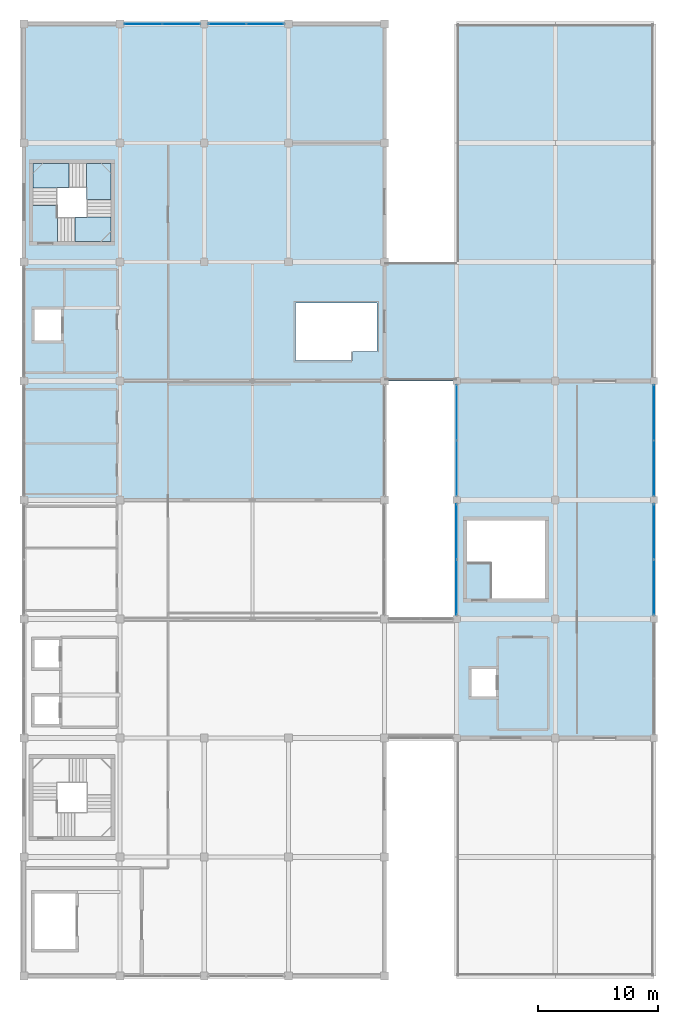
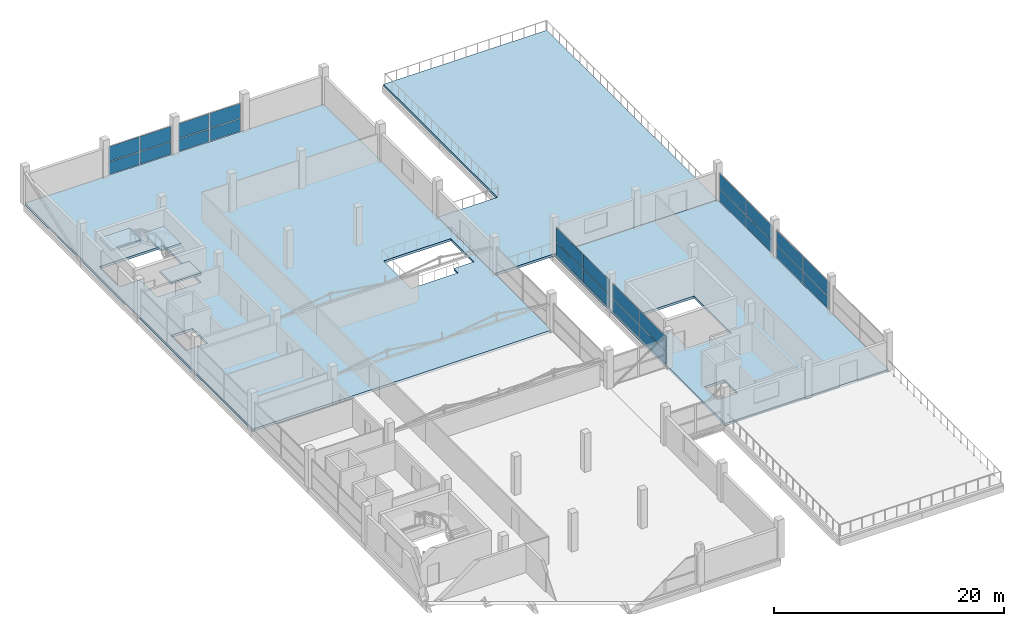
# One storey, part 43 of 53: 24 plates, 6 slabs, 7 elements without a shape of their own.
"""IFC4 building model written with IfcOpenShell, lengths in metres."""

import ifcopenshell
import ifcopenshell.guid

model = None  # the IFC model being written
_history = None  # IfcOwnerHistory: only IFC2X3 demands one
_inside = {}  # id of a spatial element -> (the spatial element, [elements in it])
_under = {}  # id of a project, library or spatial element -> (it, [spatial elements below it])
_declared = {}  # id of a project -> (the project, [libraries it declares])
_typed = {}  # id of a type object -> (the type object, [elements of that type])
_made_of = {}  # id of a material, layer set ... -> (it, [elements and type objects made of it])


def new_model(schema):
    """Start an empty IFC model of exactly this schema.

    Asked for "IFC4X3", IfcOpenShell would pick the latest addendum, in which some entities
    have other attributes; the version numbers below select the first issue.
    IFC2X3 requires an IfcOwnerHistory on every rooted entity: one is made here for all.
    """
    global model, _history
    if schema == "IFC4X3":
        model = ifcopenshell.file(schema_version=(4, 3, 0, 0))
    else:
        model = ifcopenshell.file(schema=schema)
    _inside.clear()
    _under.clear()
    _declared.clear()
    _typed.clear()
    _made_of.clear()
    _history = None
    if model.schema == "IFC2X3":
        org = make("IfcOrganization", Name="unknown")
        user = make(
            "IfcPersonAndOrganization",
            ThePerson=make("IfcPerson", FamilyName="unknown"),
            TheOrganization=org,
        )
        app = make(
            "IfcApplication",
            ApplicationDeveloper=org,
            Version="unknown",
            ApplicationFullName="unknown",
            ApplicationIdentifier="unknown",
        )
        _history = make(
            "IfcOwnerHistory",
            OwningUser=user,
            OwningApplication=app,
            ChangeAction="ADDED",
            CreationDate=0,
        )
    return model


def make(cls, **values):
    """One entity of the class cls with the attributes given. An attribute that is None is left unset."""
    return model.create_entity(
        cls, **{name: value for name, value in values.items() if value is not None}
    )


def rooted(cls, **values):
    """An entity with a GlobalId (a new one), such as an element, a storey or a relation."""
    return make(cls, GlobalId=ifcopenshell.guid.new(), OwnerHistory=_history, **values)


def si_unit(unit_type, name, prefix=None):
    """IfcSIUnit, for example si_unit("LENGTHUNIT", "METRE", prefix="MILLI")."""
    return make("IfcSIUnit", UnitType=unit_type, Prefix=prefix, Name=name)


def assignment(units):
    """IfcUnitAssignment: the units of a project."""
    return None if units is None else make("IfcUnitAssignment", Units=units)


def point(xyz):
    """IfcCartesianPoint."""
    return None if xyz is None else make("IfcCartesianPoint", Coordinates=xyz)


def direction(xyz):
    """IfcDirection."""
    return None if xyz is None else make("IfcDirection", DirectionRatios=xyz)


def frame(location, z_axis=None, x_axis=None):
    """IfcAxis2Placement3D, a coordinate frame: its origin and axes. An axis left out is left unset."""
    return make(
        "IfcAxis2Placement3D",
        Location=point(location),
        Axis=direction(z_axis),
        RefDirection=direction(x_axis),
    )


def frame_2d(location, x_axis=None):
    """IfcAxis2Placement2D, a coordinate frame in the plane: its origin and x axis."""
    return make(
        "IfcAxis2Placement2D", Location=point(location), RefDirection=direction(x_axis)
    )


def origin():
    """The frame at (0, 0, 0) with its axes left unset."""
    return frame((0.0, 0.0, 0.0))


def origin_2d():
    """The frame at (0, 0) in the plane with its x axis left unset."""
    return frame_2d((0.0, 0.0))


def place(relative_to, where):
    """IfcLocalPlacement: puts the frame where relative to a parent placement (None: the world)."""
    return make(
        "IfcLocalPlacement", PlacementRelTo=relative_to, RelativePlacement=where
    )


def context(
    kind, dimensions, precision=None, world=None, true_north=None, identifier=None
):
    """IfcGeometricRepresentationContext, for example the 3D "Model" context."""
    return make(
        "IfcGeometricRepresentationContext",
        ContextIdentifier=identifier,
        ContextType=kind,
        CoordinateSpaceDimension=dimensions,
        Precision=precision,
        WorldCoordinateSystem=world,
        TrueNorth=true_north,
    )


def subcontext(parent, identifier, kind, view, scale=None):
    """IfcGeometricRepresentationSubContext, for example "Body" below "Model"."""
    return make(
        "IfcGeometricRepresentationSubContext",
        ContextIdentifier=identifier,
        ContextType=kind,
        ParentContext=parent,
        TargetScale=scale,
        TargetView=view,
    )


def project(units=None, contexts=None):
    """IfcProject with its units and contexts."""
    return rooted(
        "IfcProject",
        Name="project",
        RepresentationContexts=contexts,
        UnitsInContext=assignment(units),
    )


def spatial(cls, under=None, at=None, **own):
    """A site, building, storey or space (cls), placed at a placement, below another one or the project."""
    s = rooted(cls, ObjectPlacement=at, **own)
    if under is not None:
        _under.setdefault(under.id(), (under, []))[1].append(s)
    return s


def polyline(points):
    """IfcPolyline through the points."""
    return make("IfcPolyline", Points=[point(p) for p in points])


def profile(cls, at=None, kind="AREA", **sizes):
    """A parametric profile (cls). Its sizes go by their IFC names, for example OverallWidth=200.0."""
    return make(cls, ProfileType=kind, Position=at, **sizes)


def rectangle(**sizes):
    """IfcRectangleProfileDef."""
    return profile("IfcRectangleProfileDef", **sizes)


def outline(outer, holes=None, kind="AREA"):
    """IfcArbitraryClosedProfileDef: a profile drawn as a closed curve; with holes, ...WithVoids."""
    if holes is None:
        return make("IfcArbitraryClosedProfileDef", ProfileType=kind, OuterCurve=outer)
    return make(
        "IfcArbitraryProfileDefWithVoids",
        ProfileType=kind,
        OuterCurve=outer,
        InnerCurves=holes,
    )


def extrude(swept, where, along, depth):
    """IfcExtrudedAreaSolid: the profile swept, set in the frame where, extruded along a direction by depth."""
    return make(
        "IfcExtrudedAreaSolid",
        SweptArea=swept,
        Position=where,
        ExtrudedDirection=direction(along),
        Depth=depth,
    )


def shape(context_of_items, identifier, shape_type, items):
    """IfcShapeRepresentation: the items that make up one representation, for example the "Body"."""
    return make(
        "IfcShapeRepresentation",
        ContextOfItems=context_of_items,
        RepresentationIdentifier=identifier,
        RepresentationType=shape_type,
        Items=items,
    )


def material(Name=None, Category=None):
    """IfcMaterial."""
    return make("IfcMaterial", Name=Name, Category=Category)


def layer(
    of_material, thickness, ventilated=None, Name=None, Category=None, Priority=None
):
    """IfcMaterialLayer: one layer of a wall or slab, of a material (None: an air gap)."""
    return make(
        "IfcMaterialLayer",
        Material=of_material,
        LayerThickness=thickness,
        IsVentilated=ventilated,
        Name=Name,
        Category=Category,
        Priority=Priority,
    )


def layer_set(layers, Name=None):
    """IfcMaterialLayerSet."""
    return make("IfcMaterialLayerSet", MaterialLayers=layers, LayerSetName=Name)


def made_of(thing, what):
    """Note that an element or type object is made of a material, layer set ...; save() writes the relation."""
    if what is not None:
        _made_of.setdefault(what.id(), (what, []))[1].append(thing)
    return thing


def type_object(cls, material=None, **own):
    """A type object (cls), such as IfcWallType, which elements share."""
    return made_of(rooted(cls, **own), material)


def element(
    cls,
    number,
    at=None,
    inside=None,
    cuts=None,
    type_object=None,
    material=None,
    context=None,
    identifier="Body",
    shape_type=None,
    held_by="IfcProductDefinitionShape",
    body=None,
    shapes=None,
    **own,
):
    """One element of the class cls, such as IfcWall. Its Tag is "e" and its number.

    at: its placement. inside: the storey or other place that contains it. cuts: it is an
    opening in that element (IfcRelVoidsElement). A single representation is given by context,
    identifier, shape_type and body (its items); several are given by shapes. held_by: the class
    of the entity that holds the representations. save() writes the other relations.
    """
    e = rooted(cls, Tag="e%d" % number, ObjectPlacement=at, **own)
    if body is not None:
        shapes = [shape(context, identifier, shape_type, body)]
    if shapes is not None:
        e.Representation = make(held_by, Representations=shapes)
    if inside is not None:
        _inside.setdefault(inside.id(), (inside, []))[1].append(e)
    if cuts is not None:
        rooted(
            "IfcRelVoidsElement", RelatingBuildingElement=cuts, RelatedOpeningElement=e
        )
    if type_object is not None:
        _typed.setdefault(type_object.id(), (type_object, []))[1].append(e)
    return made_of(e, material)


def aggregate(whole, parts):
    """IfcRelAggregates: a whole, such as a stair, and the parts it consists of."""
    return rooted("IfcRelAggregates", RelatingObject=whole, RelatedObjects=parts)


def save(model, path):
    """Write the relations noted so far, then the file.

    IfcRelAggregates (storeys below a building ...), IfcRelContainedInSpatialStructure (elements
    in a storey), IfcRelDefinesByType, IfcRelAssociatesMaterial and IfcRelDeclares: one each for
    every whole, place, type object, material and project.
    """
    for whole, parts in _under.values():
        aggregate(whole, parts)
    for where, things in _inside.values():
        rooted(
            "IfcRelContainedInSpatialStructure",
            RelatedElements=things,
            RelatingStructure=where,
        )
    for kind, things in _typed.values():
        rooted("IfcRelDefinesByType", RelatedObjects=things, RelatingType=kind)
    for what, things in _made_of.values():
        rooted("IfcRelAssociatesMaterial", RelatedObjects=things, RelatingMaterial=what)
    for by, libraries in _declared.values():
        rooted("IfcRelDeclares", RelatingContext=by, RelatedDefinitions=libraries)
    model.write(path)


model = new_model("IFC4")

# Units and contexts
model_context = context("Model", 3, precision=1e-05, world=origin(), true_north=direction((0.0, 1.0)))
body_context = subcontext(model_context, "Body", "Model", "MODEL_VIEW")
ifc_project = project(units=[si_unit("LENGTHUNIT", "METRE"), si_unit("AREAUNIT", "SQUARE_METRE"), si_unit("VOLUMEUNIT", "CUBIC_METRE"), si_unit("PLANEANGLEUNIT", "RADIAN"), si_unit("MASSUNIT", "GRAM", prefix="KILO")], contexts=[model_context])

# Site, building, storey
site_placement = place(None, origin())
site = spatial("IfcSite", under=ifc_project, at=site_placement, CompositionType="ELEMENT")
building_placement = place(site_placement, origin())
building = spatial("IfcBuilding", under=site, at=building_placement, Name="Sillaruma Civic Art Gallery", CompositionType="ELEMENT")
storey_placement = place(building_placement, frame((0.0, 0.0, 70.3798828125)))
storey = spatial("IfcBuildingStorey", under=building, at=storey_placement, Name="L14", CompositionType="ELEMENT", Elevation=70.3798828125)

# Curtain wall, plates
ifc_material_1 = material(Name="Thermally Broken Extruded Aluminium 6063-T6", Category="aluminium")
ifc_layer_1 = layer(ifc_material_1, 0.139892578125, Name="Thermally Broken Extruded Aluminium 6063-T6")
ifc_layer_set_1 = layer_set([ifc_layer_1], Name="Thermally Broken Extruded Aluminium 6063-T6")
curtain_wall_type_1 = type_object("IfcCurtainWallType", Name="CW-UNI-106", PredefinedType="NOTDEFINED", material=ifc_layer_set_1)
curtain_wall_1_placement = place(storey_placement, origin())
curtain_wall_1 = element("IfcCurtainWall", 1, at=curtain_wall_1_placement, inside=storey, type_object=curtain_wall_type_1, Name="Unitised Curtain Wall CW-106 (CW-L14-WBN-2)", PredefinedType="NOTDEFINED")
ifc_material_2 = material(Name="Low-E UV-Filtered Laminated Insulating Glass", Category="glass")
ifc_layer_2 = layer(ifc_material_2, 0.028076171875, Name="Low-E UV-Filtered Laminated Insulating Glass")
ifc_layer_set_2 = layer_set([ifc_layer_2], Name="Low-E UV-Filtered Laminated Insulating Glass")
plate_type_1 = type_object("IfcPlateType", Name="PNL-GLZ-28", PredefinedType="CURTAIN_PANEL", material=ifc_layer_set_2)
plate_1_placement = place(storey_placement, frame((71.927490234375, 99.0, 0.06005859375), z_axis=(0.0, 0.0, 1.0), x_axis=(1.0, 0.0, 0.0)))
plate_1 = element("IfcPlate", 2, at=plate_1_placement, type_object=plate_type_1, Name="CW-106 panel 1.1", PredefinedType="CURTAIN_PANEL", context=body_context, shape_type="SweptSolid", body=[
    extrude(rectangle(XDim=3.0849609375, YDim=0.028076171875, at=origin_2d()), origin(), (0.0, 0.0, 1.0), 1.326904296875),
])
plate_2_placement = place(storey_placement, frame((71.927490234375, 99.0, 1.44677734375), z_axis=(0.0, 0.0, 1.0), x_axis=(1.0, 0.0, 0.0)))
plate_2 = element("IfcPlate", 3, at=plate_2_placement, type_object=plate_type_1, Name="CW-106 panel 1.2", PredefinedType="CURTAIN_PANEL", context=body_context, shape_type="SweptSolid", body=[
    extrude(rectangle(XDim=3.0849609375, YDim=0.028076171875, at=origin_2d()), origin(), (0.0, 0.0, 1.0), 1.5732421875),
])
plate_3_placement = place(storey_placement, frame((75.072509765625, 99.0, 0.06005859375), z_axis=(0.0, 0.0, 1.0), x_axis=(1.0, 0.0, 0.0)))
plate_3 = element("IfcPlate", 4, at=plate_3_placement, type_object=plate_type_1, Name="CW-106 panel 2.1", PredefinedType="CURTAIN_PANEL", context=body_context, shape_type="SweptSolid", body=[
    extrude(rectangle(XDim=3.0849609375, YDim=0.028076171875, at=origin_2d()), origin(), (0.0, 0.0, 1.0), 1.326904296875),
])
plate_4_placement = place(storey_placement, frame((75.072509765625, 99.0, 1.44677734375), z_axis=(0.0, 0.0, 1.0), x_axis=(1.0, 0.0, 0.0)))
plate_4 = element("IfcPlate", 5, at=plate_4_placement, type_object=plate_type_1, Name="CW-106 panel 2.2", PredefinedType="CURTAIN_PANEL", context=body_context, shape_type="SweptSolid", body=[
    extrude(rectangle(XDim=3.0849609375, YDim=0.028076171875, at=origin_2d()), origin(), (0.0, 0.0, 1.0), 1.5732421875),
])
aggregate(curtain_wall_1, [plate_1, plate_2, plate_3, plate_4])

ifc_layer_3 = layer(ifc_material_1, 0.159912109375, Name="Thermally Broken Extruded Aluminium 6063-T6")
ifc_layer_set_3 = layer_set([ifc_layer_3], Name="Thermally Broken Extruded Aluminium 6063-T6")
curtain_wall_type_2 = type_object("IfcCurtainWallType", Name="CW-UNI-97", PredefinedType="NOTDEFINED", material=ifc_layer_set_3)
curtain_wall_2_placement = place(storey_placement, origin())
curtain_wall_2 = element("IfcCurtainWall", 6, at=curtain_wall_2_placement, inside=storey, type_object=curtain_wall_type_2, Name="Unitised Curtain Wall CW-97 (CW-L14-EHH-W2)", PredefinedType="NOTDEFINED")
ifc_layer_4 = layer(ifc_material_2, 0.030029296875, Name="Low-E UV-Filtered Laminated Insulating Glass")
ifc_layer_set_4 = layer_set([ifc_layer_4], Name="Low-E UV-Filtered Laminated Insulating Glass")
plate_type_2 = type_object("IfcPlateType", Name="PNL-GLZ-30", PredefinedType="CURTAIN_PANEL", material=ifc_layer_set_4)
plate_5_placement = place(storey_placement, frame((98.0, 62.041259765625, 0.06005859375), z_axis=(0.0, 0.0, 1.0), x_axis=(0.0, 1.0, 0.0)))
plate_5 = element("IfcPlate", 7, at=plate_5_placement, type_object=plate_type_2, Name="CW-97 panel 1.1", PredefinedType="CURTAIN_PANEL", context=body_context, shape_type="SweptSolid", body=[
    extrude(rectangle(XDim=4.552490234375, YDim=0.030029296875, at=origin_2d()), origin(), (0.0, 0.0, 1.0), 1.326904296875),
])
plate_6_placement = place(storey_placement, frame((98.0, 62.041259765625, 1.44677734375), z_axis=(0.0, 0.0, 1.0), x_axis=(0.0, 1.0, 0.0)))
plate_6 = element("IfcPlate", 8, at=plate_6_placement, type_object=plate_type_2, Name="CW-97 panel 1.2", PredefinedType="CURTAIN_PANEL", context=body_context, shape_type="SweptSolid", body=[
    extrude(rectangle(XDim=4.552490234375, YDim=0.030029296875, at=origin_2d()), origin(), (0.0, 0.0, 1.0), 1.5732421875),
])
plate_7_placement = place(storey_placement, frame((98.0, 66.65869140625, 0.06005859375), z_axis=(0.0, 0.0, 1.0), x_axis=(0.0, 1.0, 0.0)))
plate_7 = element("IfcPlate", 9, at=plate_7_placement, type_object=plate_type_2, Name="CW-97 panel 2.1", PredefinedType="CURTAIN_PANEL", context=body_context, shape_type="SweptSolid", body=[
    extrude(rectangle(XDim=4.552490234375, YDim=0.030029296875, at=origin_2d()), origin(), (0.0, 0.0, 1.0), 1.326904296875),
])
plate_8_placement = place(storey_placement, frame((98.0, 66.65869140625, 1.44677734375), z_axis=(0.0, 0.0, 1.0), x_axis=(0.0, 1.0, 0.0)))
plate_8 = element("IfcPlate", 10, at=plate_8_placement, type_object=plate_type_2, Name="CW-97 panel 2.2", PredefinedType="CURTAIN_PANEL", context=body_context, shape_type="SweptSolid", body=[
    extrude(rectangle(XDim=4.552490234375, YDim=0.030029296875, at=origin_2d()), origin(), (0.0, 0.0, 1.0), 1.5732421875),
])
aggregate(curtain_wall_2, [plate_5, plate_6, plate_7, plate_8])

ifc_layer_5 = layer(ifc_material_1, 0.159912109375, Name="Thermally Broken Extruded Aluminium 6063-T6")
ifc_layer_set_5 = layer_set([ifc_layer_5], Name="Thermally Broken Extruded Aluminium 6063-T6")
curtain_wall_type_3 = type_object("IfcCurtainWallType", Name="CW-UNI-102", PredefinedType="NOTDEFINED", material=ifc_layer_set_5)
curtain_wall_3_placement = place(storey_placement, origin())
curtain_wall_3 = element("IfcCurtainWall", 11, at=curtain_wall_3_placement, inside=storey, type_object=curtain_wall_type_3, Name="Unitised Curtain Wall CW-102 (CW-L14-EHH-E3)", PredefinedType="NOTDEFINED")
ifc_layer_6 = layer(ifc_material_2, 0.031982421875, Name="Low-E UV-Filtered Laminated Insulating Glass")
ifc_layer_set_6 = layer_set([ifc_layer_6], Name="Low-E UV-Filtered Laminated Insulating Glass")
plate_type_3 = type_object("IfcPlateType", Name="PNL-GLZ-32", PredefinedType="CURTAIN_PANEL", material=ifc_layer_set_6)
plate_9_placement = place(storey_placement, frame((114.39990234375, 62.041259765625, 0.065185546875), z_axis=(0.0, 0.0, 1.0), x_axis=(0.0, 1.0, 0.0)))
plate_9 = element("IfcPlate", 12, at=plate_9_placement, type_object=plate_type_3, Name="CW-102 panel 1.1", PredefinedType="CURTAIN_PANEL", context=body_context, shape_type="SweptSolid", body=[
    extrude(rectangle(XDim=4.552490234375, YDim=0.031982421875, at=origin_2d()), origin(), (0.0, 0.0, 1.0), 1.3193359375),
])
plate_10_placement = place(storey_placement, frame((114.39990234375, 62.041259765625, 1.44921875), z_axis=(0.0, 0.0, 1.0), x_axis=(0.0, 1.0, 0.0)))
plate_10 = element("IfcPlate", 13, at=plate_10_placement, type_object=plate_type_3, Name="CW-102 panel 1.2", PredefinedType="CURTAIN_PANEL", context=body_context, shape_type="SweptSolid", body=[
    extrude(rectangle(XDim=4.552490234375, YDim=0.031982421875, at=origin_2d()), origin(), (0.0, 0.0, 1.0), 1.565673828125),
])
plate_11_placement = place(storey_placement, frame((114.39990234375, 66.65869140625, 0.065185546875), z_axis=(0.0, 0.0, 1.0), x_axis=(0.0, 1.0, 0.0)))
plate_11 = element("IfcPlate", 14, at=plate_11_placement, type_object=plate_type_3, Name="CW-102 panel 2.1", PredefinedType="CURTAIN_PANEL", context=body_context, shape_type="SweptSolid", body=[
    extrude(rectangle(XDim=4.552490234375, YDim=0.031982421875, at=origin_2d()), origin(), (0.0, 0.0, 1.0), 1.3193359375),
])
plate_12_placement = place(storey_placement, frame((114.39990234375, 66.65869140625, 1.44921875), z_axis=(0.0, 0.0, 1.0), x_axis=(0.0, 1.0, 0.0)))
plate_12 = element("IfcPlate", 15, at=plate_12_placement, type_object=plate_type_3, Name="CW-102 panel 2.2", PredefinedType="CURTAIN_PANEL", context=body_context, shape_type="SweptSolid", body=[
    extrude(rectangle(XDim=4.552490234375, YDim=0.031982421875, at=origin_2d()), origin(), (0.0, 0.0, 1.0), 1.565673828125),
])
aggregate(curtain_wall_3, [plate_9, plate_10, plate_11, plate_12])

ifc_layer_7 = layer(ifc_material_1, 0.179931640625, Name="Thermally Broken Extruded Aluminium 6063-T6")
ifc_layer_set_7 = layer_set([ifc_layer_7], Name="Thermally Broken Extruded Aluminium 6063-T6")
curtain_wall_type_4 = type_object("IfcCurtainWallType", Name="CW-UNI-101", PredefinedType="NOTDEFINED", material=ifc_layer_set_7)
curtain_wall_4_placement = place(storey_placement, origin())
curtain_wall_4 = element("IfcCurtainWall", 16, at=curtain_wall_4_placement, inside=storey, type_object=curtain_wall_type_4, Name="Unitised Curtain Wall CW-101 (CW-L14-EHH-E2)", PredefinedType="NOTDEFINED")
ifc_layer_8 = layer(ifc_material_2, 0.035888671875, Name="Low-E UV-Filtered Laminated Insulating Glass")
ifc_layer_set_8 = layer_set([ifc_layer_8], Name="Low-E UV-Filtered Laminated Insulating Glass")
plate_type_4 = type_object("IfcPlateType", Name="PNL-GLZ-36", PredefinedType="CURTAIN_PANEL", material=ifc_layer_set_8)
plate_13_placement = place(storey_placement, frame((114.39990234375, 52.142578125, 0.0703125), z_axis=(0.0, 0.0, 1.0), x_axis=(0.0, 1.0, 0.0)))
plate_13 = element("IfcPlate", 17, at=plate_13_placement, type_object=plate_type_4, Name="CW-101 panel 1.1", PredefinedType="CURTAIN_PANEL", context=body_context, shape_type="SweptSolid", body=[
    extrude(rectangle(XDim=4.544921875, YDim=0.035888671875, at=origin_2d()), origin(), (0.0, 0.0, 1.0), 1.311767578125),
])
plate_14_placement = place(storey_placement, frame((114.39990234375, 52.142578125, 1.451904296875), z_axis=(0.0, 0.0, 1.0), x_axis=(0.0, 1.0, 0.0)))
plate_14 = element("IfcPlate", 18, at=plate_14_placement, type_object=plate_type_4, Name="CW-101 panel 1.2", PredefinedType="CURTAIN_PANEL", context=body_context, shape_type="SweptSolid", body=[
    extrude(rectangle(XDim=4.544921875, YDim=0.035888671875, at=origin_2d()), origin(), (0.0, 0.0, 1.0), 1.55810546875),
])
plate_15_placement = place(storey_placement, frame((114.39990234375, 56.757568359375, 0.0703125), z_axis=(0.0, 0.0, 1.0), x_axis=(0.0, 1.0, 0.0)))
plate_15 = element("IfcPlate", 19, at=plate_15_placement, type_object=plate_type_4, Name="CW-101 panel 2.1", PredefinedType="CURTAIN_PANEL", context=body_context, shape_type="SweptSolid", body=[
    extrude(rectangle(XDim=4.544921875, YDim=0.035888671875, at=origin_2d()), origin(), (0.0, 0.0, 1.0), 1.311767578125),
])
plate_16_placement = place(storey_placement, frame((114.39990234375, 56.757568359375, 1.451904296875), z_axis=(0.0, 0.0, 1.0), x_axis=(0.0, 1.0, 0.0)))
plate_16 = element("IfcPlate", 20, at=plate_16_placement, type_object=plate_type_4, Name="CW-101 panel 2.2", PredefinedType="CURTAIN_PANEL", context=body_context, shape_type="SweptSolid", body=[
    extrude(rectangle(XDim=4.544921875, YDim=0.035888671875, at=origin_2d()), origin(), (0.0, 0.0, 1.0), 1.55810546875),
])
aggregate(curtain_wall_4, [plate_13, plate_14, plate_15, plate_16])

ifc_layer_9 = layer(ifc_material_1, 0.179931640625, Name="Thermally Broken Extruded Aluminium 6063-T6")
ifc_layer_set_9 = layer_set([ifc_layer_9], Name="Thermally Broken Extruded Aluminium 6063-T6")
curtain_wall_type_5 = type_object("IfcCurtainWallType", Name="CW-UNI-109", PredefinedType="NOTDEFINED", material=ifc_layer_set_9)
curtain_wall_5_placement = place(storey_placement, origin())
curtain_wall_5 = element("IfcCurtainWall", 21, at=curtain_wall_5_placement, inside=storey, type_object=curtain_wall_type_5, Name="Unitised Curtain Wall CW-109 (CW-L14-WBN-3)", PredefinedType="NOTDEFINED")
ifc_layer_10 = layer(ifc_material_2, 0.0400390625, Name="Low-E UV-Filtered Laminated Insulating Glass")
ifc_layer_set_10 = layer_set([ifc_layer_10], Name="Low-E UV-Filtered Laminated Insulating Glass")
plate_type_5 = type_object("IfcPlateType", Name="PNL-GLZ-40", PredefinedType="CURTAIN_PANEL", material=ifc_layer_set_10)
plate_17_placement = place(storey_placement, frame((78.929931640625, 99.0, 0.065185546875), z_axis=(0.0, 0.0, 1.0), x_axis=(1.0, 0.0, 0.0)))
plate_17 = element("IfcPlate", 22, at=plate_17_placement, type_object=plate_type_5, Name="CW-109 panel 1.1", PredefinedType="CURTAIN_PANEL", context=body_context, shape_type="SweptSolid", body=[
    extrude(rectangle(XDim=3.070068359375, YDim=0.0400390625, at=origin_2d()), origin(), (0.0, 0.0, 1.0), 1.3193359375),
])
plate_18_placement = place(storey_placement, frame((78.929931640625, 99.0, 1.44921875), z_axis=(0.0, 0.0, 1.0), x_axis=(1.0, 0.0, 0.0)))
plate_18 = element("IfcPlate", 23, at=plate_18_placement, type_object=plate_type_5, Name="CW-109 panel 1.2", PredefinedType="CURTAIN_PANEL", context=body_context, shape_type="SweptSolid", body=[
    extrude(rectangle(XDim=3.070068359375, YDim=0.0400390625, at=origin_2d()), origin(), (0.0, 0.0, 1.0), 1.565673828125),
])
plate_19_placement = place(storey_placement, frame((82.070068359375, 99.0, 0.065185546875), z_axis=(0.0, 0.0, 1.0), x_axis=(1.0, 0.0, 0.0)))
plate_19 = element("IfcPlate", 24, at=plate_19_placement, type_object=plate_type_5, Name="CW-109 panel 2.1", PredefinedType="CURTAIN_PANEL", context=body_context, shape_type="SweptSolid", body=[
    extrude(rectangle(XDim=3.070068359375, YDim=0.0400390625, at=origin_2d()), origin(), (0.0, 0.0, 1.0), 1.3193359375),
])
plate_20_placement = place(storey_placement, frame((82.070068359375, 99.0, 1.44921875), z_axis=(0.0, 0.0, 1.0), x_axis=(1.0, 0.0, 0.0)))
plate_20 = element("IfcPlate", 25, at=plate_20_placement, type_object=plate_type_5, Name="CW-109 panel 2.2", PredefinedType="CURTAIN_PANEL", context=body_context, shape_type="SweptSolid", body=[
    extrude(rectangle(XDim=3.070068359375, YDim=0.0400390625, at=origin_2d()), origin(), (0.0, 0.0, 1.0), 1.565673828125),
])
aggregate(curtain_wall_5, [plate_17, plate_18, plate_19, plate_20])

ifc_layer_11 = layer(ifc_material_1, 0.179931640625, Name="Thermally Broken Extruded Aluminium 6063-T6")
ifc_layer_set_11 = layer_set([ifc_layer_11], Name="Thermally Broken Extruded Aluminium 6063-T6")
curtain_wall_type_6 = type_object("IfcCurtainWallType", Name="CW-UNI-100", PredefinedType="NOTDEFINED", material=ifc_layer_set_11)
curtain_wall_6_placement = place(storey_placement, origin())
curtain_wall_6 = element("IfcCurtainWall", 26, at=curtain_wall_6_placement, inside=storey, type_object=curtain_wall_type_6, Name="Unitised Curtain Wall CW-100 (CW-L14-EHH-W1)", PredefinedType="NOTDEFINED")
plate_21_placement = place(storey_placement, frame((98.0, 52.142578125, 0.065185546875), z_axis=(0.0, 0.0, 1.0), x_axis=(0.0, 1.0, 0.0)))
plate_21 = element("IfcPlate", 27, at=plate_21_placement, type_object=plate_type_5, Name="CW-100 panel 1.1", PredefinedType="CURTAIN_PANEL", context=body_context, shape_type="SweptSolid", body=[
    extrude(rectangle(XDim=4.544921875, YDim=0.0400390625, at=origin_2d()), origin(), (0.0, 0.0, 1.0), 1.3193359375),
])
plate_22_placement = place(storey_placement, frame((98.0, 52.142578125, 1.44921875), z_axis=(0.0, 0.0, 1.0), x_axis=(0.0, 1.0, 0.0)))
plate_22 = element("IfcPlate", 28, at=plate_22_placement, type_object=plate_type_5, Name="CW-100 panel 1.2", PredefinedType="CURTAIN_PANEL", context=body_context, shape_type="SweptSolid", body=[
    extrude(rectangle(XDim=4.544921875, YDim=0.0400390625, at=origin_2d()), origin(), (0.0, 0.0, 1.0), 1.565673828125),
])
plate_23_placement = place(storey_placement, frame((98.0, 56.757568359375, 0.065185546875), z_axis=(0.0, 0.0, 1.0), x_axis=(0.0, 1.0, 0.0)))
plate_23 = element("IfcPlate", 29, at=plate_23_placement, type_object=plate_type_5, Name="CW-100 panel 2.1", PredefinedType="CURTAIN_PANEL", context=body_context, shape_type="SweptSolid", body=[
    extrude(rectangle(XDim=4.544921875, YDim=0.0400390625, at=origin_2d()), origin(), (0.0, 0.0, 1.0), 1.3193359375),
])
plate_24_placement = place(storey_placement, frame((98.0, 56.757568359375, 1.44921875), z_axis=(0.0, 0.0, 1.0), x_axis=(0.0, 1.0, 0.0)))
plate_24 = element("IfcPlate", 30, at=plate_24_placement, type_object=plate_type_5, Name="CW-100 panel 2.2", PredefinedType="CURTAIN_PANEL", context=body_context, shape_type="SweptSolid", body=[
    extrude(rectangle(XDim=4.544921875, YDim=0.0400390625, at=origin_2d()), origin(), (0.0, 0.0, 1.0), 1.565673828125),
])
aggregate(curtain_wall_6, [plate_21, plate_22, plate_23, plate_24])

# Slabs
ifc_material_3 = material(Name="Concrete H35 (35 MPa)", Category="concrete")
ifc_layer_12 = layer(ifc_material_3, 0.25, Name="Concrete H35 (35 MPa)")
ifc_layer_set_12 = layer_set([ifc_layer_12], Name="Concrete H35 (35 MPa)")
slab_type_1 = type_object("IfcSlabType", Name="SLB-EXT-250", PredefinedType="FLOOR", material=ifc_layer_set_12)
slab_1_placement = place(storey_placement, frame((0.0, 0.0, -0.25)))
element("IfcSlab", 31, at=slab_1_placement, inside=storey, type_object=slab_type_1, Name="East Bar North Sky Sculpture Terrace (SLB-L14-TER-EAST)", PredefinedType="FLOOR", context=body_context, shape_type="SweptSolid", body=[
    extrude(outline(polyline([(98.0, 69.300048828125), (114.39990234375, 69.300048828125), (114.39990234375, 99.0), (98.0, 99.0), (98.0, 79.199951171875), (92.0, 79.199951171875), (92.0, 69.300048828125), (98.0, 69.300048828125)])), origin(), (0.0, 0.0, 1.0), 0.25),
])
ifc_layer_13 = layer(ifc_material_3, 0.25, Name="Concrete H35 (35 MPa)")
ifc_layer_set_13 = layer_set([ifc_layer_13], Name="Concrete H35 (35 MPa)")
slab_type_2 = type_object("IfcSlabType", Name="SLB-FLR-250", PredefinedType="FLOOR", material=ifc_layer_set_13)
slab_2_placement = place(storey_placement, frame((0.0, 0.0, -0.25)))
element("IfcSlab", 32, at=slab_2_placement, inside=storey, type_object=slab_type_2, Name="Floor Slab SF-250 (SLB-L14-WESTN)", PredefinedType="FLOOR", context=body_context, shape_type="SweptSolid", body=[
    extrude(outline(polyline([(62.0, 59.39990234375), (92.0, 59.39990234375), (92.0, 99.0), (62.0, 99.0), (62.0, 59.39990234375)]), holes=[polyline([(64.81494140625, 80.909912109375), (69.239990234375, 80.909912109375), (69.239990234375, 87.389892578125), (62.760009765625, 87.389892578125), (62.760009765625, 83.9150390625), (64.81494140625, 83.9150390625), (64.81494140625, 80.909912109375)]), polyline([(84.60009765625, 71.0), (89.320068359375, 71.0), (89.320068359375, 71.7451171875), (91.360107421875, 71.7451171875), (91.360107421875, 75.800048828125), (84.60009765625, 75.800048828125), (84.60009765625, 71.0)]), polyline([(62.89990234375, 72.64990234375), (65.10009765625, 72.64990234375), (65.10009765625, 75.25), (62.89990234375, 75.25), (62.89990234375, 72.64990234375)])]), origin(), (0.0, 0.0, 1.0), 0.25),
])
slab_3_placement = place(storey_placement, frame((0.0, 0.0, -0.25)))
element("IfcSlab", 33, at=slab_3_placement, inside=storey, type_object=slab_type_2, Name="Floor Slab SF-250 (SLB-L14-EHH)", PredefinedType="FLOOR", context=body_context, shape_type="SweptSolid", body=[
    extrude(outline(polyline([(98.0, 39.60009765625), (114.39990234375, 39.60009765625), (114.39990234375, 69.300048828125), (98.0, 69.300048828125), (98.0, 39.60009765625)]), holes=[polyline([(100.9150390625, 51.2099609375), (105.340087890625, 51.2099609375), (105.340087890625, 57.68994140625), (98.860107421875, 57.68994140625), (98.860107421875, 54.215087890625), (100.9150390625, 54.215087890625), (100.9150390625, 51.2099609375)]), polyline([(99.25, 43.050048828125), (101.25, 43.050048828125), (101.25, 45.35009765625), (99.25, 45.35009765625), (99.25, 43.050048828125)])]), origin(), (0.0, 0.0, 1.0), 0.25),
])

# Stair, slabs
stair_type = type_object("IfcStairType", Name="STR-4F-24", PredefinedType="USERDEFINED", material=ifc_material_3)
stair_placement = place(storey_placement, origin())
stair = element("IfcStair", 34, at=stair_placement, inside=storey, type_object=stair_type, Name="Protected Exit Stair ST-02 (West Bar North) (L14)", ObjectType="THREE_RETURN_STAIR", PredefinedType="USERDEFINED")
ifc_layer_14 = layer(ifc_material_3, 0.199951171875, Name="Concrete H35 (35 MPa)")
ifc_layer_set_14 = layer_set([ifc_layer_14], Name="Concrete H35 (35 MPa)")
slab_type_3 = type_object("IfcSlabType", Name="SLB-LND-200", PredefinedType="LANDING", material=ifc_layer_set_14)
slab_4_placement = place(storey_placement, frame((0.0, 0.0, 0.820068359375)))
slab_4 = element("IfcSlab", 35, at=slab_4_placement, type_object=slab_type_3, Name="ST-02 landing 1", PredefinedType="LANDING", context=body_context, shape_type="SweptSolid", body=[
    extrude(outline(polyline([(66.25, 80.909912109375), (69.239990234375, 80.909912109375), (69.239990234375, 82.949951171875), (66.25, 82.949951171875), (66.25, 80.909912109375)])), origin(), (0.0, 0.0, 1.0), 0.199951171875),
])
slab_5_placement = place(storey_placement, frame((0.0, 0.0, 1.840087890625)))
slab_5 = element("IfcSlab", 36, at=slab_5_placement, type_object=slab_type_3, Name="ST-02 landing 2", PredefinedType="LANDING", context=body_context, shape_type="SweptSolid", body=[
    extrude(outline(polyline([(67.199951171875, 84.39990234375), (69.239990234375, 84.39990234375), (69.239990234375, 87.389892578125), (67.199951171875, 87.389892578125), (67.199951171875, 84.39990234375)])), origin(), (0.0, 0.0, 1.0), 0.199951171875),
])
slab_6_placement = place(storey_placement, frame((0.0, 0.0, 2.860107421875)))
slab_6 = element("IfcSlab", 37, at=slab_6_placement, type_object=slab_type_3, Name="ST-02 landing 3", PredefinedType="LANDING", context=body_context, shape_type="SweptSolid", body=[
    extrude(outline(polyline([(62.760009765625, 85.35009765625), (65.75, 85.35009765625), (65.75, 87.389892578125), (62.760009765625, 87.389892578125), (62.760009765625, 85.35009765625)])), origin(), (0.0, 0.0, 1.0), 0.199951171875),
])
aggregate(stair, [slab_4, slab_5, slab_6])

save(model, "model.ifc")
